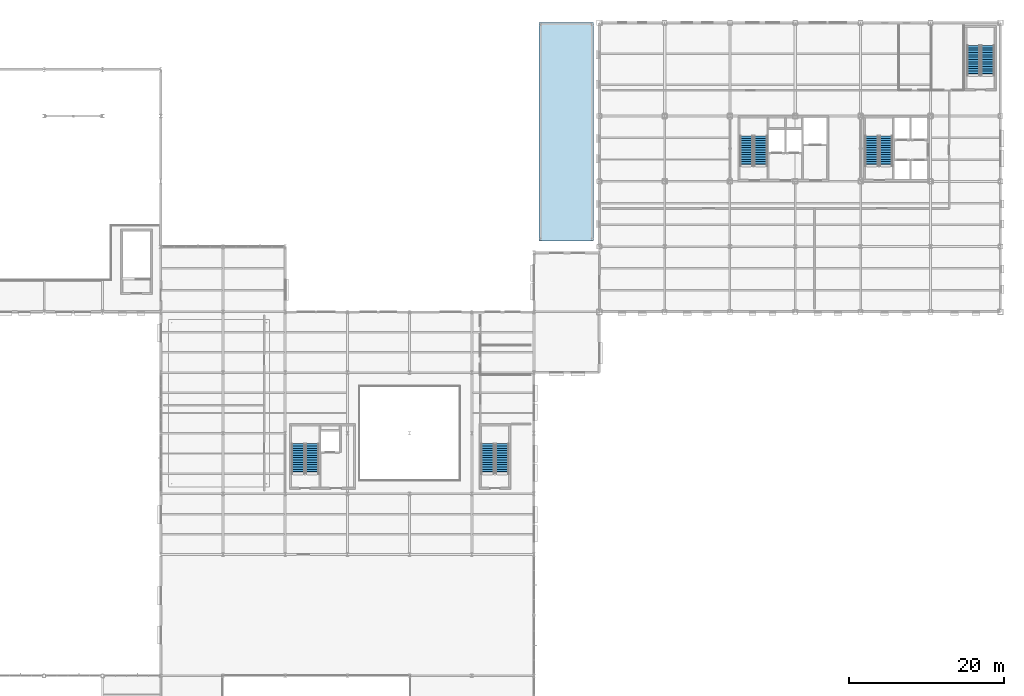
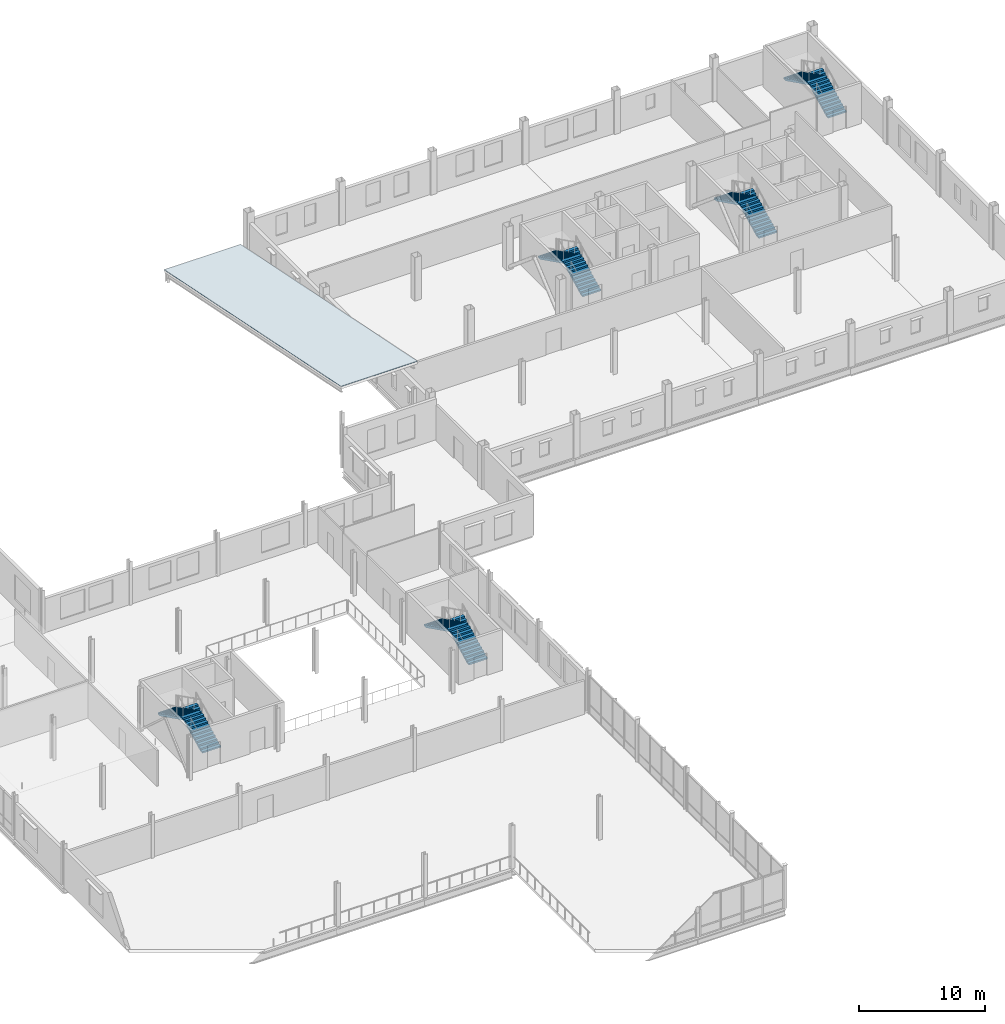
# One storey, part 67 of 75: 10 stair flights, 1 roof, 5 elements without a shape of their own.
"""IFC4 building model written with IfcOpenShell, lengths in metres."""

import ifcopenshell
import ifcopenshell.guid

model = None  # the IFC model being written
_history = None  # IfcOwnerHistory: only IFC2X3 demands one
_inside = {}  # id of a spatial element -> (the spatial element, [elements in it])
_under = {}  # id of a project, library or spatial element -> (it, [spatial elements below it])
_declared = {}  # id of a project -> (the project, [libraries it declares])
_typed = {}  # id of a type object -> (the type object, [elements of that type])
_made_of = {}  # id of a material, layer set ... -> (it, [elements and type objects made of it])


def new_model(schema):
    """Start an empty IFC model of exactly this schema.

    Asked for "IFC4X3", IfcOpenShell would pick the latest addendum, in which some entities
    have other attributes; the version numbers below select the first issue.
    IFC2X3 requires an IfcOwnerHistory on every rooted entity: one is made here for all.
    """
    global model, _history
    if schema == "IFC4X3":
        model = ifcopenshell.file(schema_version=(4, 3, 0, 0))
    else:
        model = ifcopenshell.file(schema=schema)
    _inside.clear()
    _under.clear()
    _declared.clear()
    _typed.clear()
    _made_of.clear()
    _history = None
    if model.schema == "IFC2X3":
        org = make("IfcOrganization", Name="unknown")
        user = make(
            "IfcPersonAndOrganization",
            ThePerson=make("IfcPerson", FamilyName="unknown"),
            TheOrganization=org,
        )
        app = make(
            "IfcApplication",
            ApplicationDeveloper=org,
            Version="unknown",
            ApplicationFullName="unknown",
            ApplicationIdentifier="unknown",
        )
        _history = make(
            "IfcOwnerHistory",
            OwningUser=user,
            OwningApplication=app,
            ChangeAction="ADDED",
            CreationDate=0,
        )
    return model


def make(cls, **values):
    """One entity of the class cls with the attributes given. An attribute that is None is left unset."""
    return model.create_entity(
        cls, **{name: value for name, value in values.items() if value is not None}
    )


def rooted(cls, **values):
    """An entity with a GlobalId (a new one), such as an element, a storey or a relation."""
    return make(cls, GlobalId=ifcopenshell.guid.new(), OwnerHistory=_history, **values)


def si_unit(unit_type, name, prefix=None):
    """IfcSIUnit, for example si_unit("LENGTHUNIT", "METRE", prefix="MILLI")."""
    return make("IfcSIUnit", UnitType=unit_type, Prefix=prefix, Name=name)


def assignment(units):
    """IfcUnitAssignment: the units of a project."""
    return None if units is None else make("IfcUnitAssignment", Units=units)


def point(xyz):
    """IfcCartesianPoint."""
    return None if xyz is None else make("IfcCartesianPoint", Coordinates=xyz)


def direction(xyz):
    """IfcDirection."""
    return None if xyz is None else make("IfcDirection", DirectionRatios=xyz)


def frame(location, z_axis=None, x_axis=None):
    """IfcAxis2Placement3D, a coordinate frame: its origin and axes. An axis left out is left unset."""
    return make(
        "IfcAxis2Placement3D",
        Location=point(location),
        Axis=direction(z_axis),
        RefDirection=direction(x_axis),
    )


def origin():
    """The frame at (0, 0, 0) with its axes left unset."""
    return frame((0.0, 0.0, 0.0))


def place(relative_to, where):
    """IfcLocalPlacement: puts the frame where relative to a parent placement (None: the world)."""
    return make(
        "IfcLocalPlacement", PlacementRelTo=relative_to, RelativePlacement=where
    )


def context(
    kind, dimensions, precision=None, world=None, true_north=None, identifier=None
):
    """IfcGeometricRepresentationContext, for example the 3D "Model" context."""
    return make(
        "IfcGeometricRepresentationContext",
        ContextIdentifier=identifier,
        ContextType=kind,
        CoordinateSpaceDimension=dimensions,
        Precision=precision,
        WorldCoordinateSystem=world,
        TrueNorth=true_north,
    )


def subcontext(parent, identifier, kind, view, scale=None):
    """IfcGeometricRepresentationSubContext, for example "Body" below "Model"."""
    return make(
        "IfcGeometricRepresentationSubContext",
        ContextIdentifier=identifier,
        ContextType=kind,
        ParentContext=parent,
        TargetScale=scale,
        TargetView=view,
    )


def project(units=None, contexts=None):
    """IfcProject with its units and contexts."""
    return rooted(
        "IfcProject",
        Name="project",
        RepresentationContexts=contexts,
        UnitsInContext=assignment(units),
    )


def spatial(cls, under=None, at=None, **own):
    """A site, building, storey or space (cls), placed at a placement, below another one or the project."""
    s = rooted(cls, ObjectPlacement=at, **own)
    if under is not None:
        _under.setdefault(under.id(), (under, []))[1].append(s)
    return s


def polyline(points):
    """IfcPolyline through the points."""
    return make("IfcPolyline", Points=[point(p) for p in points])


def outline(outer, holes=None, kind="AREA"):
    """IfcArbitraryClosedProfileDef: a profile drawn as a closed curve; with holes, ...WithVoids."""
    if holes is None:
        return make("IfcArbitraryClosedProfileDef", ProfileType=kind, OuterCurve=outer)
    return make(
        "IfcArbitraryProfileDefWithVoids",
        ProfileType=kind,
        OuterCurve=outer,
        InnerCurves=holes,
    )


def extrude(swept, where, along, depth):
    """IfcExtrudedAreaSolid: the profile swept, set in the frame where, extruded along a direction by depth."""
    return make(
        "IfcExtrudedAreaSolid",
        SweptArea=swept,
        Position=where,
        ExtrudedDirection=direction(along),
        Depth=depth,
    )


def shape(context_of_items, identifier, shape_type, items):
    """IfcShapeRepresentation: the items that make up one representation, for example the "Body"."""
    return make(
        "IfcShapeRepresentation",
        ContextOfItems=context_of_items,
        RepresentationIdentifier=identifier,
        RepresentationType=shape_type,
        Items=items,
    )


def material(Name=None, Category=None):
    """IfcMaterial."""
    return make("IfcMaterial", Name=Name, Category=Category)


def made_of(thing, what):
    """Note that an element or type object is made of a material, layer set ...; save() writes the relation."""
    if what is not None:
        _made_of.setdefault(what.id(), (what, []))[1].append(thing)
    return thing


def type_object(cls, material=None, **own):
    """A type object (cls), such as IfcWallType, which elements share."""
    return made_of(rooted(cls, **own), material)


def element(
    cls,
    number,
    at=None,
    inside=None,
    cuts=None,
    type_object=None,
    material=None,
    context=None,
    identifier="Body",
    shape_type=None,
    held_by="IfcProductDefinitionShape",
    body=None,
    shapes=None,
    **own,
):
    """One element of the class cls, such as IfcWall. Its Tag is "e" and its number.

    at: its placement. inside: the storey or other place that contains it. cuts: it is an
    opening in that element (IfcRelVoidsElement). A single representation is given by context,
    identifier, shape_type and body (its items); several are given by shapes. held_by: the class
    of the entity that holds the representations. save() writes the other relations.
    """
    e = rooted(cls, Tag="e%d" % number, ObjectPlacement=at, **own)
    if body is not None:
        shapes = [shape(context, identifier, shape_type, body)]
    if shapes is not None:
        e.Representation = make(held_by, Representations=shapes)
    if inside is not None:
        _inside.setdefault(inside.id(), (inside, []))[1].append(e)
    if cuts is not None:
        rooted(
            "IfcRelVoidsElement", RelatingBuildingElement=cuts, RelatedOpeningElement=e
        )
    if type_object is not None:
        _typed.setdefault(type_object.id(), (type_object, []))[1].append(e)
    return made_of(e, material)


def aggregate(whole, parts):
    """IfcRelAggregates: a whole, such as a stair, and the parts it consists of."""
    return rooted("IfcRelAggregates", RelatingObject=whole, RelatedObjects=parts)


def save(model, path):
    """Write the relations noted so far, then the file.

    IfcRelAggregates (storeys below a building ...), IfcRelContainedInSpatialStructure (elements
    in a storey), IfcRelDefinesByType, IfcRelAssociatesMaterial and IfcRelDeclares: one each for
    every whole, place, type object, material and project.
    """
    for whole, parts in _under.values():
        aggregate(whole, parts)
    for where, things in _inside.values():
        rooted(
            "IfcRelContainedInSpatialStructure",
            RelatedElements=things,
            RelatingStructure=where,
        )
    for kind, things in _typed.values():
        rooted("IfcRelDefinesByType", RelatedObjects=things, RelatingType=kind)
    for what, things in _made_of.values():
        rooted("IfcRelAssociatesMaterial", RelatedObjects=things, RelatingMaterial=what)
    for by, libraries in _declared.values():
        rooted("IfcRelDeclares", RelatingContext=by, RelatedDefinitions=libraries)
    model.write(path)


model = new_model("IFC4")

# Units and contexts
model_context = context("Model", 3, precision=1e-05, world=origin(), true_north=direction((0.0, 1.0)))
body_context = subcontext(model_context, "Body", "Model", "MODEL_VIEW")
ifc_project = project(units=[si_unit("LENGTHUNIT", "METRE"), si_unit("AREAUNIT", "SQUARE_METRE"), si_unit("VOLUMEUNIT", "CUBIC_METRE"), si_unit("PLANEANGLEUNIT", "RADIAN"), si_unit("MASSUNIT", "GRAM", prefix="KILO")], contexts=[model_context])

# Site, building, storey
site_placement = place(None, origin())
site = spatial("IfcSite", under=ifc_project, at=site_placement, CompositionType="ELEMENT")
building_placement = place(site_placement, origin())
building = spatial("IfcBuilding", under=site, at=building_placement, Name="Yukiwa Park Conservatory and Herbarium", CompositionType="ELEMENT")
storey_placement = place(building_placement, frame((0.0, 0.0, 4.800048828125)))
storey = spatial("IfcBuildingStorey", under=building, at=storey_placement, Name="L01", CompositionType="ELEMENT", Elevation=4.800048828125)

# Stair, stair flights
ifc_material_1 = material(Name="Concrete C40", Category="concrete")
stair_type_1 = type_object("IfcStairType", Name="ST-DOGLEG-ST-T1", PredefinedType="HALF_TURN_STAIR", material=ifc_material_1)
stair_1_placement = place(storey_placement, origin())
stair_1 = element("IfcStair", 1, at=stair_1_placement, inside=storey, type_object=stair_type_1, Name="L01 Protected Smoke-Proof Stair ST-T1", PredefinedType="HALF_TURN_STAIR")
ifc_material_2 = material(Name="Concrete C40", Category="concrete")
stair_flight_type_1 = type_object("IfcStairFlightType", Name="STF-RC-1680", PredefinedType="STRAIGHT", material=ifc_material_2)
stair_flight_1_placement = place(storey_placement, frame((137.159912109375, 96.72998046875, 0.0), z_axis=(0.0, 0.0, 1.0), x_axis=(0.0, 1.0, 0.0)))
stair_flight_1 = element("IfcStairFlight", 2, at=stair_flight_1_placement, type_object=stair_flight_type_1, Name="ST-T1 flight 1", NumberOfRisers=14, NumberOfTreads=13, PredefinedType="STRAIGHT", RiserHeight=0.15, TreadLength=0.3, context=body_context, shape_type="SweptSolid", body=[
    extrude(outline(polyline([(0.0, 0.0), (0.0, 0.14990234375), (0.300048828125, 0.14990234375), (0.300048828125, 0.300048828125), (0.60009765625, 0.300048828125), (0.60009765625, 0.449951171875), (0.89990234375, 0.449951171875), (0.89990234375, 0.60009765625), (1.199951171875, 0.60009765625), (1.199951171875, 0.75), (1.5, 0.75), (1.5, 0.89990234375), (1.800048828125, 0.89990234375), (1.800048828125, 1.050048828125), (2.10009765625, 1.050048828125), (2.10009765625, 1.199951171875), (2.39990234375, 1.199951171875), (2.39990234375, 1.35009765625), (2.699951171875, 1.35009765625), (2.699951171875, 1.5), (3.0, 1.5), (3.0, 1.64990234375), (3.300048828125, 1.64990234375), (3.300048828125, 1.800048828125), (3.60009765625, 1.800048828125), (3.60009765625, 1.949951171875), (3.89990234375, 1.949951171875), (3.89990234375, 2.10009765625), (3.89990234375, 1.782470703125), (0.335205078125, 0.0), (0.0, 0.0)])), frame((0.0, 0.83984375, 0.0), z_axis=(0.0, -1.0, 0.0), x_axis=(1.0, 0.0, 0.0)), (0.0, 0.0, 1.0), 1.679931640625),
])
stair_flight_2_placement = place(storey_placement, frame((135.330078125, 100.6298828125, 2.099853515625), z_axis=(0.0, 0.0, 1.0), x_axis=(0.0, -1.0, 0.0)))
stair_flight_2 = element("IfcStairFlight", 3, at=stair_flight_2_placement, type_object=stair_flight_type_1, Name="ST-T1 flight 2", NumberOfRisers=14, NumberOfTreads=13, PredefinedType="STRAIGHT", RiserHeight=0.15, TreadLength=0.3, context=body_context, shape_type="SweptSolid", body=[
    extrude(outline(polyline([(0.0, 0.0), (0.0, 0.14990234375), (0.300048828125, 0.14990234375), (0.300048828125, 0.300048828125), (0.60009765625, 0.300048828125), (0.60009765625, 0.449951171875), (0.89990234375, 0.449951171875), (0.89990234375, 0.60009765625), (1.199951171875, 0.60009765625), (1.199951171875, 0.75), (1.5, 0.75), (1.5, 0.89990234375), (1.800048828125, 0.89990234375), (1.800048828125, 1.050048828125), (2.10009765625, 1.050048828125), (2.10009765625, 1.199951171875), (2.39990234375, 1.199951171875), (2.39990234375, 1.35009765625), (2.699951171875, 1.35009765625), (2.699951171875, 1.5), (3.0, 1.5), (3.0, 1.64990234375), (3.300048828125, 1.64990234375), (3.300048828125, 1.800048828125), (3.60009765625, 1.800048828125), (3.60009765625, 1.949951171875), (3.89990234375, 1.949951171875), (3.89990234375, 2.10009765625), (3.89990234375, 1.782470703125), (0.335205078125, 0.0), (0.0, 0.0)])), frame((0.0, 0.83984375, 0.0), z_axis=(0.0, -1.0, 0.0), x_axis=(1.0, 0.0, 0.0)), (0.0, 0.0, 1.0), 1.679931640625),
])
aggregate(stair_1, [stair_flight_1, stair_flight_2])

ifc_material_3 = material(Name="Concrete C40", Category="concrete")
stair_type_2 = type_object("IfcStairType", Name="ST-DOGLEG-ST-T2", PredefinedType="HALF_TURN_STAIR", material=ifc_material_3)
stair_2_placement = place(storey_placement, origin())
stair_2 = element("IfcStair", 4, at=stair_2_placement, inside=storey, type_object=stair_type_2, Name="L01 Protected Smoke-Proof Stair ST-T2", PredefinedType="HALF_TURN_STAIR")
stair_flight_3_placement = place(storey_placement, frame((153.27001953125, 96.72998046875, 0.0), z_axis=(0.0, 0.0, 1.0), x_axis=(0.0, 1.0, 0.0)))
stair_flight_3 = element("IfcStairFlight", 5, at=stair_flight_3_placement, type_object=stair_flight_type_1, Name="ST-T2 flight 1", NumberOfRisers=14, NumberOfTreads=13, PredefinedType="STRAIGHT", RiserHeight=0.15, TreadLength=0.3, context=body_context, shape_type="SweptSolid", body=[
    extrude(outline(polyline([(0.0, 0.0), (0.0, 0.14990234375), (0.300048828125, 0.14990234375), (0.300048828125, 0.300048828125), (0.60009765625, 0.300048828125), (0.60009765625, 0.449951171875), (0.89990234375, 0.449951171875), (0.89990234375, 0.60009765625), (1.199951171875, 0.60009765625), (1.199951171875, 0.75), (1.5, 0.75), (1.5, 0.89990234375), (1.800048828125, 0.89990234375), (1.800048828125, 1.050048828125), (2.10009765625, 1.050048828125), (2.10009765625, 1.199951171875), (2.39990234375, 1.199951171875), (2.39990234375, 1.35009765625), (2.699951171875, 1.35009765625), (2.699951171875, 1.5), (3.0, 1.5), (3.0, 1.64990234375), (3.300048828125, 1.64990234375), (3.300048828125, 1.800048828125), (3.60009765625, 1.800048828125), (3.60009765625, 1.949951171875), (3.89990234375, 1.949951171875), (3.89990234375, 2.10009765625), (3.89990234375, 1.782470703125), (0.335205078125, 0.0), (0.0, 0.0)])), frame((0.0, 0.83984375, 0.0), z_axis=(0.0, -1.0, 0.0), x_axis=(1.0, 0.0, 0.0)), (0.0, 0.0, 1.0), 1.679931640625),
])
stair_flight_4_placement = place(storey_placement, frame((151.43994140625, 100.6298828125, 2.099853515625), z_axis=(0.0, 0.0, 1.0), x_axis=(0.0, -1.0, 0.0)))
stair_flight_4 = element("IfcStairFlight", 6, at=stair_flight_4_placement, type_object=stair_flight_type_1, Name="ST-T2 flight 2", NumberOfRisers=14, NumberOfTreads=13, PredefinedType="STRAIGHT", RiserHeight=0.15, TreadLength=0.3, context=body_context, shape_type="SweptSolid", body=[
    extrude(outline(polyline([(0.0, 0.0), (0.0, 0.14990234375), (0.300048828125, 0.14990234375), (0.300048828125, 0.300048828125), (0.60009765625, 0.300048828125), (0.60009765625, 0.449951171875), (0.89990234375, 0.449951171875), (0.89990234375, 0.60009765625), (1.199951171875, 0.60009765625), (1.199951171875, 0.75), (1.5, 0.75), (1.5, 0.89990234375), (1.800048828125, 0.89990234375), (1.800048828125, 1.050048828125), (2.10009765625, 1.050048828125), (2.10009765625, 1.199951171875), (2.39990234375, 1.199951171875), (2.39990234375, 1.35009765625), (2.699951171875, 1.35009765625), (2.699951171875, 1.5), (3.0, 1.5), (3.0, 1.64990234375), (3.300048828125, 1.64990234375), (3.300048828125, 1.800048828125), (3.60009765625, 1.800048828125), (3.60009765625, 1.949951171875), (3.89990234375, 1.949951171875), (3.89990234375, 2.10009765625), (3.89990234375, 1.782470703125), (0.335205078125, 0.0), (0.0, 0.0)])), frame((0.0, 0.83984375, 0.0), z_axis=(0.0, -1.0, 0.0), x_axis=(1.0, 0.0, 0.0)), (0.0, 0.0, 1.0), 1.679931640625),
])
aggregate(stair_2, [stair_flight_3, stair_flight_4])

ifc_material_4 = material(Name="Concrete C40", Category="concrete")
stair_type_3 = type_object("IfcStairType", Name="ST-DOGLEG-ST-T3", PredefinedType="HALF_TURN_STAIR", material=ifc_material_4)
stair_3_placement = place(storey_placement, origin())
stair_3 = element("IfcStair", 7, at=stair_3_placement, inside=storey, type_object=stair_type_3, Name="L01 Protected Smoke-Proof Stair ST-T3", PredefinedType="HALF_TURN_STAIR")
stair_flight_5_placement = place(storey_placement, frame((166.360107421875, 108.3798828125, 0.0), z_axis=(0.0, 0.0, 1.0), x_axis=(0.0, 1.0, 0.0)))
stair_flight_5 = element("IfcStairFlight", 8, at=stair_flight_5_placement, type_object=stair_flight_type_1, Name="ST-T3 flight 1", NumberOfRisers=14, NumberOfTreads=13, PredefinedType="STRAIGHT", RiserHeight=0.15, TreadLength=0.3, context=body_context, shape_type="SweptSolid", body=[
    extrude(outline(polyline([(0.0, 0.0), (0.0, 0.14990234375), (0.300048828125, 0.14990234375), (0.300048828125, 0.300048828125), (0.60009765625, 0.300048828125), (0.60009765625, 0.449951171875), (0.89990234375, 0.449951171875), (0.89990234375, 0.60009765625), (1.199951171875, 0.60009765625), (1.199951171875, 0.75), (1.5, 0.75), (1.5, 0.89990234375), (1.800048828125, 0.89990234375), (1.800048828125, 1.050048828125), (2.10009765625, 1.050048828125), (2.10009765625, 1.199951171875), (2.39990234375, 1.199951171875), (2.39990234375, 1.35009765625), (2.699951171875, 1.35009765625), (2.699951171875, 1.5), (3.0, 1.5), (3.0, 1.64990234375), (3.300048828125, 1.64990234375), (3.300048828125, 1.800048828125), (3.60009765625, 1.800048828125), (3.60009765625, 1.949951171875), (3.89990234375, 1.949951171875), (3.89990234375, 2.10009765625), (3.89990234375, 1.782470703125), (0.335205078125, 0.0), (0.0, 0.0)])), frame((0.0, 0.83984375, 0.0), z_axis=(0.0, -1.0, 0.0), x_axis=(1.0, 0.0, 0.0)), (0.0, 0.0, 1.0), 1.679931640625),
])
stair_flight_6_placement = place(storey_placement, frame((164.530029296875, 112.280029296875, 2.099853515625), z_axis=(0.0, 0.0, 1.0), x_axis=(0.0, -1.0, 0.0)))
stair_flight_6 = element("IfcStairFlight", 9, at=stair_flight_6_placement, type_object=stair_flight_type_1, Name="ST-T3 flight 2", NumberOfRisers=14, NumberOfTreads=13, PredefinedType="STRAIGHT", RiserHeight=0.15, TreadLength=0.3, context=body_context, shape_type="SweptSolid", body=[
    extrude(outline(polyline([(0.0, 0.0), (0.0, 0.14990234375), (0.300048828125, 0.14990234375), (0.300048828125, 0.300048828125), (0.60009765625, 0.300048828125), (0.60009765625, 0.449951171875), (0.89990234375, 0.449951171875), (0.89990234375, 0.60009765625), (1.199951171875, 0.60009765625), (1.199951171875, 0.75), (1.5, 0.75), (1.5, 0.89990234375), (1.800048828125, 0.89990234375), (1.800048828125, 1.050048828125), (2.10009765625, 1.050048828125), (2.10009765625, 1.199951171875), (2.39990234375, 1.199951171875), (2.39990234375, 1.35009765625), (2.699951171875, 1.35009765625), (2.699951171875, 1.5), (3.0, 1.5), (3.0, 1.64990234375), (3.300048828125, 1.64990234375), (3.300048828125, 1.800048828125), (3.60009765625, 1.800048828125), (3.60009765625, 1.949951171875), (3.89990234375, 1.949951171875), (3.89990234375, 2.10009765625), (3.89990234375, 1.782470703125), (0.335205078125, 0.0), (0.0, 0.0)])), frame((0.0, 0.83984375, 0.0), z_axis=(0.0, -1.0, 0.0), x_axis=(1.0, 0.0, 0.0)), (0.0, 0.0, 1.0), 1.679931640625),
])
aggregate(stair_3, [stair_flight_5, stair_flight_6])

ifc_material_5 = material(Name="Concrete C40", Category="concrete")
stair_type_4 = type_object("IfcStairType", Name="ST-DOGLEG-ST-V1", PredefinedType="HALF_TURN_STAIR", material=ifc_material_5)
stair_4_placement = place(storey_placement, origin())
stair_4 = element("IfcStair", 10, at=stair_4_placement, inside=storey, type_object=stair_type_4, Name="L01 Visitor Core Exit Stair ST-V1", PredefinedType="HALF_TURN_STAIR")
ifc_material_6 = material(Name="Concrete C40", Category="concrete")
stair_flight_type_2 = type_object("IfcStairFlightType", Name="STF-RC-1700", PredefinedType="STRAIGHT", material=ifc_material_6)
stair_flight_7_placement = place(storey_placement, frame((79.5, 57.14990234375, 0.0), z_axis=(0.0, 0.0, 1.0), x_axis=(0.0, 1.0, 0.0)))
stair_flight_7 = element("IfcStairFlight", 11, at=stair_flight_7_placement, type_object=stair_flight_type_2, Name="ST-V1 flight 1", NumberOfRisers=14, NumberOfTreads=13, PredefinedType="STRAIGHT", RiserHeight=0.15, TreadLength=0.3, context=body_context, shape_type="SweptSolid", body=[
    extrude(outline(polyline([(0.0, 0.0), (0.0, 0.14990234375), (0.300048828125, 0.14990234375), (0.300048828125, 0.300048828125), (0.60009765625, 0.300048828125), (0.60009765625, 0.449951171875), (0.89990234375, 0.449951171875), (0.89990234375, 0.60009765625), (1.199951171875, 0.60009765625), (1.199951171875, 0.75), (1.5, 0.75), (1.5, 0.89990234375), (1.800048828125, 0.89990234375), (1.800048828125, 1.050048828125), (2.10009765625, 1.050048828125), (2.10009765625, 1.199951171875), (2.39990234375, 1.199951171875), (2.39990234375, 1.35009765625), (2.699951171875, 1.35009765625), (2.699951171875, 1.5), (3.0, 1.5), (3.0, 1.64990234375), (3.300048828125, 1.64990234375), (3.300048828125, 1.800048828125), (3.60009765625, 1.800048828125), (3.60009765625, 1.949951171875), (3.89990234375, 1.949951171875), (3.89990234375, 2.10009765625), (3.89990234375, 1.782470703125), (0.335205078125, 0.0), (0.0, 0.0)])), frame((0.0, 0.85009765625, 0.0), z_axis=(0.0, -1.0, 0.0), x_axis=(1.0, 0.0, 0.0)), (0.0, 0.0, 1.0), 1.699951171875),
])
stair_flight_8_placement = place(storey_placement, frame((77.64990234375, 61.050048828125, 2.099853515625), z_axis=(0.0, 0.0, 1.0), x_axis=(0.0, -1.0, 0.0)))
stair_flight_8 = element("IfcStairFlight", 12, at=stair_flight_8_placement, type_object=stair_flight_type_2, Name="ST-V1 flight 2", NumberOfRisers=14, NumberOfTreads=13, PredefinedType="STRAIGHT", RiserHeight=0.15, TreadLength=0.3, context=body_context, shape_type="SweptSolid", body=[
    extrude(outline(polyline([(0.0, 0.0), (0.0, 0.14990234375), (0.300048828125, 0.14990234375), (0.300048828125, 0.300048828125), (0.60009765625, 0.300048828125), (0.60009765625, 0.449951171875), (0.89990234375, 0.449951171875), (0.89990234375, 0.60009765625), (1.199951171875, 0.60009765625), (1.199951171875, 0.75), (1.5, 0.75), (1.5, 0.89990234375), (1.800048828125, 0.89990234375), (1.800048828125, 1.050048828125), (2.10009765625, 1.050048828125), (2.10009765625, 1.199951171875), (2.39990234375, 1.199951171875), (2.39990234375, 1.35009765625), (2.699951171875, 1.35009765625), (2.699951171875, 1.5), (3.0, 1.5), (3.0, 1.64990234375), (3.300048828125, 1.64990234375), (3.300048828125, 1.800048828125), (3.60009765625, 1.800048828125), (3.60009765625, 1.949951171875), (3.89990234375, 1.949951171875), (3.89990234375, 2.10009765625), (3.89990234375, 1.782470703125), (0.335205078125, 0.0), (0.0, 0.0)])), frame((0.0, 0.85009765625, 0.0), z_axis=(0.0, -1.0, 0.0), x_axis=(1.0, 0.0, 0.0)), (0.0, 0.0, 1.0), 1.699951171875),
])
aggregate(stair_4, [stair_flight_7, stair_flight_8])

ifc_material_7 = material(Name="Concrete C40", Category="concrete")
stair_type_5 = type_object("IfcStairType", Name="ST-DOGLEG-ST-V2", PredefinedType="HALF_TURN_STAIR", material=ifc_material_7)
stair_5_placement = place(storey_placement, origin())
stair_5 = element("IfcStair", 13, at=stair_5_placement, inside=storey, type_object=stair_type_5, Name="L01 Visitor East Exit Stair ST-V2", PredefinedType="HALF_TURN_STAIR")
stair_flight_9_placement = place(storey_placement, frame((103.89990234375, 57.14990234375, 0.0), z_axis=(0.0, 0.0, 1.0), x_axis=(0.0, 1.0, 0.0)))
stair_flight_9 = element("IfcStairFlight", 14, at=stair_flight_9_placement, type_object=stair_flight_type_2, Name="ST-V2 flight 1", NumberOfRisers=14, NumberOfTreads=13, PredefinedType="STRAIGHT", RiserHeight=0.15, TreadLength=0.3, context=body_context, shape_type="SweptSolid", body=[
    extrude(outline(polyline([(0.0, 0.0), (0.0, 0.14990234375), (0.300048828125, 0.14990234375), (0.300048828125, 0.300048828125), (0.60009765625, 0.300048828125), (0.60009765625, 0.449951171875), (0.89990234375, 0.449951171875), (0.89990234375, 0.60009765625), (1.199951171875, 0.60009765625), (1.199951171875, 0.75), (1.5, 0.75), (1.5, 0.89990234375), (1.800048828125, 0.89990234375), (1.800048828125, 1.050048828125), (2.10009765625, 1.050048828125), (2.10009765625, 1.199951171875), (2.39990234375, 1.199951171875), (2.39990234375, 1.35009765625), (2.699951171875, 1.35009765625), (2.699951171875, 1.5), (3.0, 1.5), (3.0, 1.64990234375), (3.300048828125, 1.64990234375), (3.300048828125, 1.800048828125), (3.60009765625, 1.800048828125), (3.60009765625, 1.949951171875), (3.89990234375, 1.949951171875), (3.89990234375, 2.10009765625), (3.89990234375, 1.782470703125), (0.335205078125, 0.0), (0.0, 0.0)])), frame((0.0, 0.85009765625, 0.0), z_axis=(0.0, -1.0, 0.0), x_axis=(1.0, 0.0, 0.0)), (0.0, 0.0, 1.0), 1.699951171875),
])
stair_flight_10_placement = place(storey_placement, frame((102.050048828125, 61.050048828125, 2.099853515625), z_axis=(0.0, 0.0, 1.0), x_axis=(0.0, -1.0, 0.0)))
stair_flight_10 = element("IfcStairFlight", 15, at=stair_flight_10_placement, type_object=stair_flight_type_2, Name="ST-V2 flight 2", NumberOfRisers=14, NumberOfTreads=13, PredefinedType="STRAIGHT", RiserHeight=0.15, TreadLength=0.3, context=body_context, shape_type="SweptSolid", body=[
    extrude(outline(polyline([(0.0, 0.0), (0.0, 0.14990234375), (0.300048828125, 0.14990234375), (0.300048828125, 0.300048828125), (0.60009765625, 0.300048828125), (0.60009765625, 0.449951171875), (0.89990234375, 0.449951171875), (0.89990234375, 0.60009765625), (1.199951171875, 0.60009765625), (1.199951171875, 0.75), (1.5, 0.75), (1.5, 0.89990234375), (1.800048828125, 0.89990234375), (1.800048828125, 1.050048828125), (2.10009765625, 1.050048828125), (2.10009765625, 1.199951171875), (2.39990234375, 1.199951171875), (2.39990234375, 1.35009765625), (2.699951171875, 1.35009765625), (2.699951171875, 1.5), (3.0, 1.5), (3.0, 1.64990234375), (3.300048828125, 1.64990234375), (3.300048828125, 1.800048828125), (3.60009765625, 1.800048828125), (3.60009765625, 1.949951171875), (3.89990234375, 1.949951171875), (3.89990234375, 2.10009765625), (3.89990234375, 1.782470703125), (0.335205078125, 0.0), (0.0, 0.0)])), frame((0.0, 0.85009765625, 0.0), z_axis=(0.0, -1.0, 0.0), x_axis=(1.0, 0.0, 0.0)), (0.0, 0.0, 1.0), 1.699951171875),
])
aggregate(stair_5, [stair_flight_9, stair_flight_10])

# Roof
ifc_material_8 = material(Name="Anodised Aluminium", Category="aluminium")
roof_type = type_object("IfcRoofType", Name="RF-MONO-PITCH-SNOW", PredefinedType="SHED_ROOF", material=ifc_material_8)
roof_placement = place(storey_placement, frame((108.64990234375, 87.14990234375, 6.82470703125), z_axis=(0.0, 0.199365927554, 0.97992511292), x_axis=(1.0, 0.0, 0.0)))
element("IfcRoof", 16, at=roof_placement, inside=storey, type_object=roof_type, Name="North Service Portal Canopy snow-shedding mono-pitch roof", PredefinedType="SHED_ROOF", context=body_context, shape_type="SweptSolid", body=[
    extrude(outline(polyline([(0.0, 0.0), (7.0, 0.0), (7.0, 28.624686170715048), (0.0, 28.624686170715048), (0.0, 0.0)])), origin(), (0.0, 0.0, -1.0), 0.02001953125),
])

save(model, "model.ifc")
